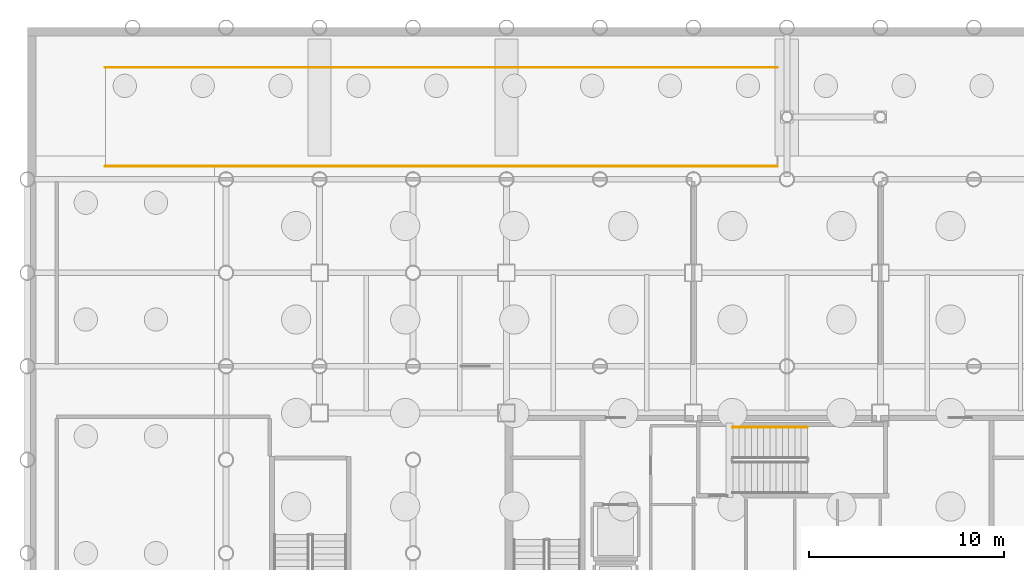
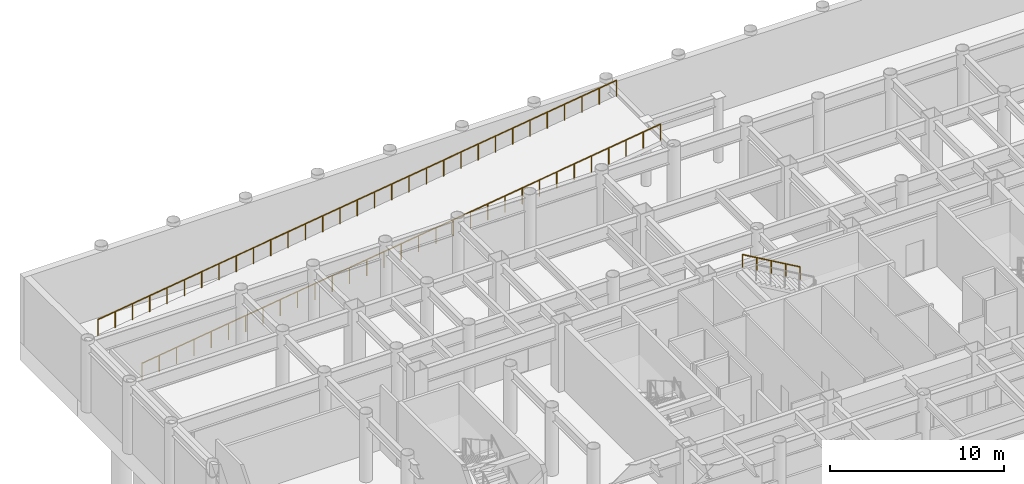
# One storey, part 16 of 17: 3 railings.
"""IFC4 building model written with IfcOpenShell, lengths in metres."""

from ifc_helpers import new_model, si_unit, direction, frame, origin, origin_2d, place, context, subcontext, project, spatial, circle, extrude, material, layer, layer_set, type_object, element, save


model = new_model("IFC4")

# Units and contexts
model_context = context("Model", 3, precision=1e-05, world=origin(), true_north=direction((0.0, 1.0)))
body_context = subcontext(model_context, "Body", "Model", "MODEL_VIEW")
ifc_project = project(units=[si_unit("LENGTHUNIT", "METRE"), si_unit("AREAUNIT", "SQUARE_METRE"), si_unit("VOLUMEUNIT", "CUBIC_METRE"), si_unit("PLANEANGLEUNIT", "RADIAN"), si_unit("MASSUNIT", "GRAM", prefix="KILO")], contexts=[model_context])

# Site, building, storey
site_placement = place(None, origin())
site = spatial("IfcSite", under=ifc_project, at=site_placement, CompositionType="ELEMENT")
building_placement = place(site_placement, origin())
building = spatial("IfcBuilding", under=site, at=building_placement, Name="Kallvorn Hotel Tower", CompositionType="ELEMENT")
storey_placement = place(building_placement, frame((0.0, 0.0, -10.199951171875)))
storey = spatial("IfcBuildingStorey", under=building, at=storey_placement, Name="B2", CompositionType="ELEMENT", Elevation=-10.199951171875)

# Railings
ifc_material_1 = material(Name="Brushed stainless-steel tubular railing", Category="steel")
ifc_layer_1 = layer(ifc_material_1, 0.050048828125)
ifc_layer_set_1 = layer_set([ifc_layer_1], Name="RL_STAIR_HAND")
railing_type_1 = type_object("IfcRailingType", Name="RL_STAIR_HAND", PredefinedType="HANDRAIL", material=ifc_layer_set_1)
railing_1_placement = place(storey_placement, frame((1.050048828125, 6.4599609375, 2.58447265625)))
element("IfcRailing", 1, at=railing_1_placement, inside=storey, type_object=railing_type_1, Name="B2 ST3 stair handrail 2", PredefinedType="HANDRAIL", context=body_context, shape_type="SweptSolid", body=[
    extrude(circle(Radius=0.02392578125, at=origin_2d()), frame((0.0, 0.0, 0.8759765625), z_axis=(-0.866171833885, 0.0, 0.499746289815), x_axis=(0.0, -1.0, 0.0)), (0.0, 0.0, 1.0), 4.433349609375),
    extrude(circle(Radius=0.02099609375, at=origin_2d()), origin(), (0.0, 0.0, 1.0), 0.851806640625),
    extrude(circle(Radius=0.02099609375, at=origin_2d()), frame((-0.9599609375, 0.0, 0.553955078125)), (0.0, 0.0, 1.0), 0.851806640625),
    extrude(circle(Radius=0.02099609375, at=origin_2d()), frame((-1.919921875, 0.0, 1.10791015625)), (0.0, 0.0, 1.0), 0.851806640625),
    extrude(circle(Radius=0.02099609375, at=origin_2d()), frame((-2.880126953125, 0.0, 1.66162109375)), (0.0, 0.0, 1.0), 0.851806640625),
    extrude(circle(Radius=0.02099609375, at=origin_2d()), frame((-3.840087890625, 0.0, 2.215576171875)), (0.0, 0.0, 1.0), 0.851806640625),
])
ifc_material_2 = material(Name="Galvanised painted steel S275JR balustrade", Category="steel")
ifc_layer_2 = layer(ifc_material_2, 0.06005859375)
ifc_layer_set_2 = layer_set([ifc_layer_2], Name="RL_WIND_GUARD_1150")
railing_type_2 = type_object("IfcRailingType", Name="RL_WIND_GUARD_1150", PredefinedType="GUARDRAIL", material=ifc_layer_set_2)
railing_2_placement = place(storey_placement, frame((-35.0, 19.860107421875, 0.050048828125)))
element("IfcRailing", 2, at=railing_2_placement, inside=storey, type_object=railing_type_2, Name="Vehicle Ramp Side Guardrail RAMP-B2B1-S", PredefinedType="GUARDRAIL", context=body_context, shape_type="SweptSolid", body=[
    extrude(circle(Radius=0.02392578125, at=origin_2d()), frame((0.0, 0.0, 1.1259765625), z_axis=(0.990654605441, 0.0, 0.136394474662), x_axis=(0.0, 1.0, 0.0)), (0.0, 0.0, 1.0), 34.825439453125),
    extrude(circle(Radius=0.02099609375, at=origin_2d()), origin(), (0.0, 0.0, 1.0), 1.101806640625),
    extrude(circle(Radius=0.02099609375, at=origin_2d()), frame((1.14990234375, 0.0, 0.158447265625)), (0.0, 0.0, 1.0), 1.101806640625),
    extrude(circle(Radius=0.02099609375, at=origin_2d()), frame((2.300048828125, 0.0, 0.316650390625)), (0.0, 0.0, 1.0), 1.101806640625),
    extrude(circle(Radius=0.02099609375, at=origin_2d()), frame((3.449951171875, 0.0, 0.47509765625)), (0.0, 0.0, 1.0), 1.101806640625),
    extrude(circle(Radius=0.02099609375, at=origin_2d()), frame((4.60009765625, 0.0, 0.63330078125)), (0.0, 0.0, 1.0), 1.101806640625),
    extrude(circle(Radius=0.02099609375, at=origin_2d()), frame((5.75, 0.0, 0.791748046875)), (0.0, 0.0, 1.0), 1.101806640625),
    extrude(circle(Radius=0.02099609375, at=origin_2d()), frame((6.89990234375, 0.0, 0.949951171875)), (0.0, 0.0, 1.0), 1.101806640625),
    extrude(circle(Radius=0.02099609375, at=origin_2d()), frame((8.050048828125, 0.0, 1.1083984375)), (0.0, 0.0, 1.0), 1.101806640625),
    extrude(circle(Radius=0.02099609375, at=origin_2d()), frame((9.199951171875, 0.0, 1.2666015625)), (0.0, 0.0, 1.0), 1.101806640625),
    extrude(circle(Radius=0.02099609375, at=origin_2d()), frame((10.35009765625, 0.0, 1.425048828125)), (0.0, 0.0, 1.0), 1.101806640625),
    extrude(circle(Radius=0.02099609375, at=origin_2d()), frame((11.5, 0.0, 1.583251953125)), (0.0, 0.0, 1.0), 1.101806640625),
    extrude(circle(Radius=0.02099609375, at=origin_2d()), frame((12.64990234375, 0.0, 1.74169921875)), (0.0, 0.0, 1.0), 1.101806640625),
    extrude(circle(Radius=0.02099609375, at=origin_2d()), frame((13.800048828125, 0.0, 1.89990234375)), (0.0, 0.0, 1.0), 1.101806640625),
    extrude(circle(Radius=0.02099609375, at=origin_2d()), frame((14.949951171875, 0.0, 2.058349609375)), (0.0, 0.0, 1.0), 1.101806640625),
    extrude(circle(Radius=0.02099609375, at=origin_2d()), frame((16.10009765625, 0.0, 2.216552734375)), (0.0, 0.0, 1.0), 1.101806640625),
    extrude(circle(Radius=0.02099609375, at=origin_2d()), frame((17.25, 0.0, 2.375)), (0.0, 0.0, 1.0), 1.101806640625),
    extrude(circle(Radius=0.02099609375, at=origin_2d()), frame((18.39990234375, 0.0, 2.533447265625)), (0.0, 0.0, 1.0), 1.101806640625),
    extrude(circle(Radius=0.02099609375, at=origin_2d()), frame((19.550048828125, 0.0, 2.691650390625)), (0.0, 0.0, 1.0), 1.101806640625),
    extrude(circle(Radius=0.02099609375, at=origin_2d()), frame((20.699951171875, 0.0, 2.85009765625)), (0.0, 0.0, 1.0), 1.101806640625),
    extrude(circle(Radius=0.02099609375, at=origin_2d()), frame((21.85009765625, 0.0, 3.00830078125)), (0.0, 0.0, 1.0), 1.101806640625),
    extrude(circle(Radius=0.02099609375, at=origin_2d()), frame((23.0, 0.0, 3.166748046875)), (0.0, 0.0, 1.0), 1.101806640625),
    extrude(circle(Radius=0.02099609375, at=origin_2d()), frame((24.14990234375, 0.0, 3.324951171875)), (0.0, 0.0, 1.0), 1.101806640625),
    extrude(circle(Radius=0.02099609375, at=origin_2d()), frame((25.300048828125, 0.0, 3.4833984375)), (0.0, 0.0, 1.0), 1.101806640625),
    extrude(circle(Radius=0.02099609375, at=origin_2d()), frame((26.449951171875, 0.0, 3.6416015625)), (0.0, 0.0, 1.0), 1.101806640625),
    extrude(circle(Radius=0.02099609375, at=origin_2d()), frame((27.60009765625, 0.0, 3.800048828125)), (0.0, 0.0, 1.0), 1.101806640625),
    extrude(circle(Radius=0.02099609375, at=origin_2d()), frame((28.75, 0.0, 3.958251953125)), (0.0, 0.0, 1.0), 1.101806640625),
    extrude(circle(Radius=0.02099609375, at=origin_2d()), frame((29.89990234375, 0.0, 4.11669921875)), (0.0, 0.0, 1.0), 1.101806640625),
    extrude(circle(Radius=0.02099609375, at=origin_2d()), frame((31.050048828125, 0.0, 4.27490234375)), (0.0, 0.0, 1.0), 1.101806640625),
    extrude(circle(Radius=0.02099609375, at=origin_2d()), frame((32.199951171875, 0.0, 4.433349609375)), (0.0, 0.0, 1.0), 1.101806640625),
    extrude(circle(Radius=0.02099609375, at=origin_2d()), frame((33.35009765625, 0.0, 4.591552734375)), (0.0, 0.0, 1.0), 1.101806640625),
    extrude(circle(Radius=0.02099609375, at=origin_2d()), frame((34.5, 0.0, 4.75)), (0.0, 0.0, 1.0), 1.101806640625),
])
railing_3_placement = place(storey_placement, frame((-35.0, 24.93994140625, 0.050048828125)))
element("IfcRailing", 3, at=railing_3_placement, inside=storey, type_object=railing_type_2, Name="Vehicle Ramp Side Guardrail RAMP-B2B1-N", PredefinedType="GUARDRAIL", context=body_context, shape_type="SweptSolid", body=[
    extrude(circle(Radius=0.02392578125, at=origin_2d()), frame((0.0, 0.0, 1.1259765625), z_axis=(0.990654605441, 0.0, 0.136394474662), x_axis=(0.0, 1.0, 0.0)), (0.0, 0.0, 1.0), 34.825439453125),
    extrude(circle(Radius=0.02099609375, at=origin_2d()), origin(), (0.0, 0.0, 1.0), 1.101806640625),
    extrude(circle(Radius=0.02099609375, at=origin_2d()), frame((1.14990234375, 0.0, 0.158447265625)), (0.0, 0.0, 1.0), 1.101806640625),
    extrude(circle(Radius=0.02099609375, at=origin_2d()), frame((2.300048828125, 0.0, 0.316650390625)), (0.0, 0.0, 1.0), 1.101806640625),
    extrude(circle(Radius=0.02099609375, at=origin_2d()), frame((3.449951171875, 0.0, 0.47509765625)), (0.0, 0.0, 1.0), 1.101806640625),
    extrude(circle(Radius=0.02099609375, at=origin_2d()), frame((4.60009765625, 0.0, 0.63330078125)), (0.0, 0.0, 1.0), 1.101806640625),
    extrude(circle(Radius=0.02099609375, at=origin_2d()), frame((5.75, 0.0, 0.791748046875)), (0.0, 0.0, 1.0), 1.101806640625),
    extrude(circle(Radius=0.02099609375, at=origin_2d()), frame((6.89990234375, 0.0, 0.949951171875)), (0.0, 0.0, 1.0), 1.101806640625),
    extrude(circle(Radius=0.02099609375, at=origin_2d()), frame((8.050048828125, 0.0, 1.1083984375)), (0.0, 0.0, 1.0), 1.101806640625),
    extrude(circle(Radius=0.02099609375, at=origin_2d()), frame((9.199951171875, 0.0, 1.2666015625)), (0.0, 0.0, 1.0), 1.101806640625),
    extrude(circle(Radius=0.02099609375, at=origin_2d()), frame((10.35009765625, 0.0, 1.425048828125)), (0.0, 0.0, 1.0), 1.101806640625),
    extrude(circle(Radius=0.02099609375, at=origin_2d()), frame((11.5, 0.0, 1.583251953125)), (0.0, 0.0, 1.0), 1.101806640625),
    extrude(circle(Radius=0.02099609375, at=origin_2d()), frame((12.64990234375, 0.0, 1.74169921875)), (0.0, 0.0, 1.0), 1.101806640625),
    extrude(circle(Radius=0.02099609375, at=origin_2d()), frame((13.800048828125, 0.0, 1.89990234375)), (0.0, 0.0, 1.0), 1.101806640625),
    extrude(circle(Radius=0.02099609375, at=origin_2d()), frame((14.949951171875, 0.0, 2.058349609375)), (0.0, 0.0, 1.0), 1.101806640625),
    extrude(circle(Radius=0.02099609375, at=origin_2d()), frame((16.10009765625, 0.0, 2.216552734375)), (0.0, 0.0, 1.0), 1.101806640625),
    extrude(circle(Radius=0.02099609375, at=origin_2d()), frame((17.25, 0.0, 2.375)), (0.0, 0.0, 1.0), 1.101806640625),
    extrude(circle(Radius=0.02099609375, at=origin_2d()), frame((18.39990234375, 0.0, 2.533447265625)), (0.0, 0.0, 1.0), 1.101806640625),
    extrude(circle(Radius=0.02099609375, at=origin_2d()), frame((19.550048828125, 0.0, 2.691650390625)), (0.0, 0.0, 1.0), 1.101806640625),
    extrude(circle(Radius=0.02099609375, at=origin_2d()), frame((20.699951171875, 0.0, 2.85009765625)), (0.0, 0.0, 1.0), 1.101806640625),
    extrude(circle(Radius=0.02099609375, at=origin_2d()), frame((21.85009765625, 0.0, 3.00830078125)), (0.0, 0.0, 1.0), 1.101806640625),
    extrude(circle(Radius=0.02099609375, at=origin_2d()), frame((23.0, 0.0, 3.166748046875)), (0.0, 0.0, 1.0), 1.101806640625),
    extrude(circle(Radius=0.02099609375, at=origin_2d()), frame((24.14990234375, 0.0, 3.324951171875)), (0.0, 0.0, 1.0), 1.101806640625),
    extrude(circle(Radius=0.02099609375, at=origin_2d()), frame((25.300048828125, 0.0, 3.4833984375)), (0.0, 0.0, 1.0), 1.101806640625),
    extrude(circle(Radius=0.02099609375, at=origin_2d()), frame((26.449951171875, 0.0, 3.6416015625)), (0.0, 0.0, 1.0), 1.101806640625),
    extrude(circle(Radius=0.02099609375, at=origin_2d()), frame((27.60009765625, 0.0, 3.800048828125)), (0.0, 0.0, 1.0), 1.101806640625),
    extrude(circle(Radius=0.02099609375, at=origin_2d()), frame((28.75, 0.0, 3.958251953125)), (0.0, 0.0, 1.0), 1.101806640625),
    extrude(circle(Radius=0.02099609375, at=origin_2d()), frame((29.89990234375, 0.0, 4.11669921875)), (0.0, 0.0, 1.0), 1.101806640625),
    extrude(circle(Radius=0.02099609375, at=origin_2d()), frame((31.050048828125, 0.0, 4.27490234375)), (0.0, 0.0, 1.0), 1.101806640625),
    extrude(circle(Radius=0.02099609375, at=origin_2d()), frame((32.199951171875, 0.0, 4.433349609375)), (0.0, 0.0, 1.0), 1.101806640625),
    extrude(circle(Radius=0.02099609375, at=origin_2d()), frame((33.35009765625, 0.0, 4.591552734375)), (0.0, 0.0, 1.0), 1.101806640625),
    extrude(circle(Radius=0.02099609375, at=origin_2d()), frame((34.5, 0.0, 4.75)), (0.0, 0.0, 1.0), 1.101806640625),
])

save(model, "model.ifc")
